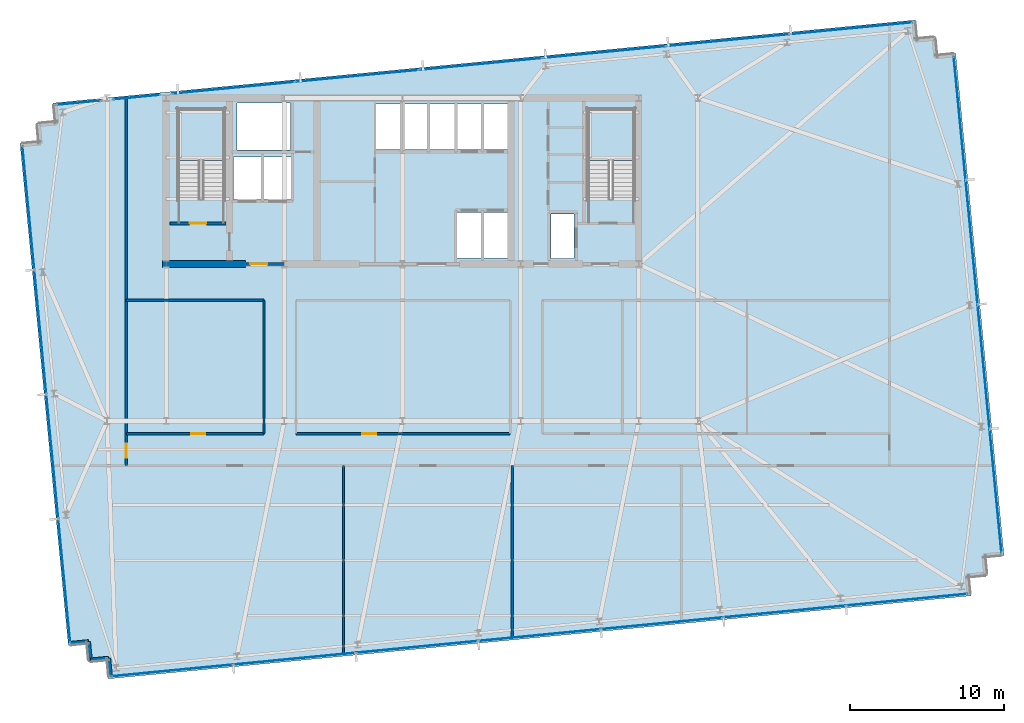
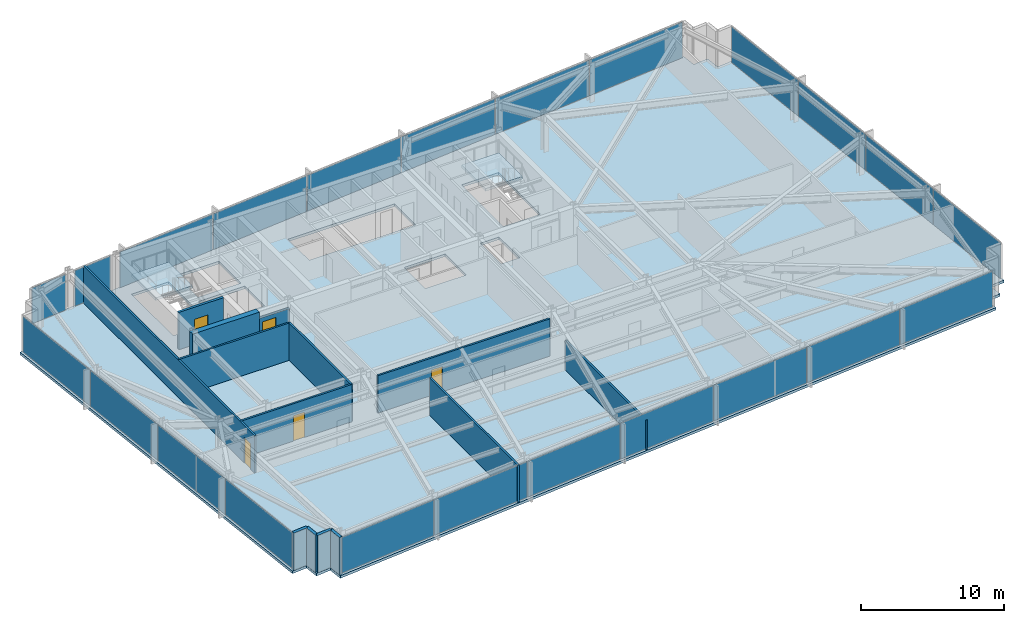
# One storey, part 24 of 32: 23 plates, 14 walls, 5 doors, 3 slabs, 5 openings, 8 elements without a shape of their own.
"""IFC4 building model written with IfcOpenShell, lengths in metres."""

import ifcopenshell
import ifcopenshell.guid

model = None  # the IFC model being written
_history = None  # IfcOwnerHistory: only IFC2X3 demands one
_inside = {}  # id of a spatial element -> (the spatial element, [elements in it])
_under = {}  # id of a project, library or spatial element -> (it, [spatial elements below it])
_declared = {}  # id of a project -> (the project, [libraries it declares])
_typed = {}  # id of a type object -> (the type object, [elements of that type])
_made_of = {}  # id of a material, layer set ... -> (it, [elements and type objects made of it])


def new_model(schema):
    """Start an empty IFC model of exactly this schema.

    Asked for "IFC4X3", IfcOpenShell would pick the latest addendum, in which some entities
    have other attributes; the version numbers below select the first issue.
    IFC2X3 requires an IfcOwnerHistory on every rooted entity: one is made here for all.
    """
    global model, _history
    if schema == "IFC4X3":
        model = ifcopenshell.file(schema_version=(4, 3, 0, 0))
    else:
        model = ifcopenshell.file(schema=schema)
    _inside.clear()
    _under.clear()
    _declared.clear()
    _typed.clear()
    _made_of.clear()
    _history = None
    if model.schema == "IFC2X3":
        org = make("IfcOrganization", Name="unknown")
        user = make(
            "IfcPersonAndOrganization",
            ThePerson=make("IfcPerson", FamilyName="unknown"),
            TheOrganization=org,
        )
        app = make(
            "IfcApplication",
            ApplicationDeveloper=org,
            Version="unknown",
            ApplicationFullName="unknown",
            ApplicationIdentifier="unknown",
        )
        _history = make(
            "IfcOwnerHistory",
            OwningUser=user,
            OwningApplication=app,
            ChangeAction="ADDED",
            CreationDate=0,
        )
    return model


def make(cls, **values):
    """One entity of the class cls with the attributes given. An attribute that is None is left unset."""
    return model.create_entity(
        cls, **{name: value for name, value in values.items() if value is not None}
    )


def rooted(cls, **values):
    """An entity with a GlobalId (a new one), such as an element, a storey or a relation."""
    return make(cls, GlobalId=ifcopenshell.guid.new(), OwnerHistory=_history, **values)


def si_unit(unit_type, name, prefix=None):
    """IfcSIUnit, for example si_unit("LENGTHUNIT", "METRE", prefix="MILLI")."""
    return make("IfcSIUnit", UnitType=unit_type, Prefix=prefix, Name=name)


def assignment(units):
    """IfcUnitAssignment: the units of a project."""
    return None if units is None else make("IfcUnitAssignment", Units=units)


def point(xyz):
    """IfcCartesianPoint."""
    return None if xyz is None else make("IfcCartesianPoint", Coordinates=xyz)


def direction(xyz):
    """IfcDirection."""
    return None if xyz is None else make("IfcDirection", DirectionRatios=xyz)


def frame(location, z_axis=None, x_axis=None):
    """IfcAxis2Placement3D, a coordinate frame: its origin and axes. An axis left out is left unset."""
    return make(
        "IfcAxis2Placement3D",
        Location=point(location),
        Axis=direction(z_axis),
        RefDirection=direction(x_axis),
    )


def frame_2d(location, x_axis=None):
    """IfcAxis2Placement2D, a coordinate frame in the plane: its origin and x axis."""
    return make(
        "IfcAxis2Placement2D", Location=point(location), RefDirection=direction(x_axis)
    )


def origin():
    """The frame at (0, 0, 0) with its axes left unset."""
    return frame((0.0, 0.0, 0.0))


def origin_2d():
    """The frame at (0, 0) in the plane with its x axis left unset."""
    return frame_2d((0.0, 0.0))


def place(relative_to, where):
    """IfcLocalPlacement: puts the frame where relative to a parent placement (None: the world)."""
    return make(
        "IfcLocalPlacement", PlacementRelTo=relative_to, RelativePlacement=where
    )


def context(
    kind, dimensions, precision=None, world=None, true_north=None, identifier=None
):
    """IfcGeometricRepresentationContext, for example the 3D "Model" context."""
    return make(
        "IfcGeometricRepresentationContext",
        ContextIdentifier=identifier,
        ContextType=kind,
        CoordinateSpaceDimension=dimensions,
        Precision=precision,
        WorldCoordinateSystem=world,
        TrueNorth=true_north,
    )


def subcontext(parent, identifier, kind, view, scale=None):
    """IfcGeometricRepresentationSubContext, for example "Body" below "Model"."""
    return make(
        "IfcGeometricRepresentationSubContext",
        ContextIdentifier=identifier,
        ContextType=kind,
        ParentContext=parent,
        TargetScale=scale,
        TargetView=view,
    )


def project(units=None, contexts=None):
    """IfcProject with its units and contexts."""
    return rooted(
        "IfcProject",
        Name="project",
        RepresentationContexts=contexts,
        UnitsInContext=assignment(units),
    )


def spatial(cls, under=None, at=None, **own):
    """A site, building, storey or space (cls), placed at a placement, below another one or the project."""
    s = rooted(cls, ObjectPlacement=at, **own)
    if under is not None:
        _under.setdefault(under.id(), (under, []))[1].append(s)
    return s


def polyline(points):
    """IfcPolyline through the points."""
    return make("IfcPolyline", Points=[point(p) for p in points])


def profile(cls, at=None, kind="AREA", **sizes):
    """A parametric profile (cls). Its sizes go by their IFC names, for example OverallWidth=200.0."""
    return make(cls, ProfileType=kind, Position=at, **sizes)


def rectangle(**sizes):
    """IfcRectangleProfileDef."""
    return profile("IfcRectangleProfileDef", **sizes)


def outline(outer, holes=None, kind="AREA"):
    """IfcArbitraryClosedProfileDef: a profile drawn as a closed curve; with holes, ...WithVoids."""
    if holes is None:
        return make("IfcArbitraryClosedProfileDef", ProfileType=kind, OuterCurve=outer)
    return make(
        "IfcArbitraryProfileDefWithVoids",
        ProfileType=kind,
        OuterCurve=outer,
        InnerCurves=holes,
    )


def extrude(swept, where, along, depth):
    """IfcExtrudedAreaSolid: the profile swept, set in the frame where, extruded along a direction by depth."""
    return make(
        "IfcExtrudedAreaSolid",
        SweptArea=swept,
        Position=where,
        ExtrudedDirection=direction(along),
        Depth=depth,
    )


def shape(context_of_items, identifier, shape_type, items):
    """IfcShapeRepresentation: the items that make up one representation, for example the "Body"."""
    return make(
        "IfcShapeRepresentation",
        ContextOfItems=context_of_items,
        RepresentationIdentifier=identifier,
        RepresentationType=shape_type,
        Items=items,
    )


def material(Name=None, Category=None):
    """IfcMaterial."""
    return make("IfcMaterial", Name=Name, Category=Category)


def layer(
    of_material, thickness, ventilated=None, Name=None, Category=None, Priority=None
):
    """IfcMaterialLayer: one layer of a wall or slab, of a material (None: an air gap)."""
    return make(
        "IfcMaterialLayer",
        Material=of_material,
        LayerThickness=thickness,
        IsVentilated=ventilated,
        Name=Name,
        Category=Category,
        Priority=Priority,
    )


def layer_set(layers, Name=None):
    """IfcMaterialLayerSet."""
    return make("IfcMaterialLayerSet", MaterialLayers=layers, LayerSetName=Name)


def made_of(thing, what):
    """Note that an element or type object is made of a material, layer set ...; save() writes the relation."""
    if what is not None:
        _made_of.setdefault(what.id(), (what, []))[1].append(thing)
    return thing


def type_object(cls, material=None, **own):
    """A type object (cls), such as IfcWallType, which elements share."""
    return made_of(rooted(cls, **own), material)


def element(
    cls,
    number,
    at=None,
    inside=None,
    cuts=None,
    type_object=None,
    material=None,
    context=None,
    identifier="Body",
    shape_type=None,
    held_by="IfcProductDefinitionShape",
    body=None,
    shapes=None,
    **own,
):
    """One element of the class cls, such as IfcWall. Its Tag is "e" and its number.

    at: its placement. inside: the storey or other place that contains it. cuts: it is an
    opening in that element (IfcRelVoidsElement). A single representation is given by context,
    identifier, shape_type and body (its items); several are given by shapes. held_by: the class
    of the entity that holds the representations. save() writes the other relations.
    """
    e = rooted(cls, Tag="e%d" % number, ObjectPlacement=at, **own)
    if body is not None:
        shapes = [shape(context, identifier, shape_type, body)]
    if shapes is not None:
        e.Representation = make(held_by, Representations=shapes)
    if inside is not None:
        _inside.setdefault(inside.id(), (inside, []))[1].append(e)
    if cuts is not None:
        rooted(
            "IfcRelVoidsElement", RelatingBuildingElement=cuts, RelatedOpeningElement=e
        )
    if type_object is not None:
        _typed.setdefault(type_object.id(), (type_object, []))[1].append(e)
    return made_of(e, material)


def fill(opening, filler):
    """IfcRelFillsElement: the door or window that sits in an opening."""
    return rooted(
        "IfcRelFillsElement",
        RelatingOpeningElement=opening,
        RelatedBuildingElement=filler,
    )


def aggregate(whole, parts):
    """IfcRelAggregates: a whole, such as a stair, and the parts it consists of."""
    return rooted("IfcRelAggregates", RelatingObject=whole, RelatedObjects=parts)


def save(model, path):
    """Write the relations noted so far, then the file.

    IfcRelAggregates (storeys below a building ...), IfcRelContainedInSpatialStructure (elements
    in a storey), IfcRelDefinesByType, IfcRelAssociatesMaterial and IfcRelDeclares: one each for
    every whole, place, type object, material and project.
    """
    for whole, parts in _under.values():
        aggregate(whole, parts)
    for where, things in _inside.values():
        rooted(
            "IfcRelContainedInSpatialStructure",
            RelatedElements=things,
            RelatingStructure=where,
        )
    for kind, things in _typed.values():
        rooted("IfcRelDefinesByType", RelatedObjects=things, RelatingType=kind)
    for what, things in _made_of.values():
        rooted("IfcRelAssociatesMaterial", RelatedObjects=things, RelatingMaterial=what)
    for by, libraries in _declared.values():
        rooted("IfcRelDeclares", RelatingContext=by, RelatedDefinitions=libraries)
    model.write(path)


model = new_model("IFC4")

# Units and contexts
model_context = context("Model", 3, precision=1e-05, world=origin(), true_north=direction((0.0, 1.0)))
body_context = subcontext(model_context, "Body", "Model", "MODEL_VIEW")
ifc_project = project(units=[si_unit("LENGTHUNIT", "METRE"), si_unit("AREAUNIT", "SQUARE_METRE"), si_unit("VOLUMEUNIT", "CUBIC_METRE"), si_unit("PLANEANGLEUNIT", "RADIAN"), si_unit("MASSUNIT", "GRAM", prefix="KILO")], contexts=[model_context])

# Site, building, storey
site_placement = place(None, origin())
site = spatial("IfcSite", under=ifc_project, at=site_placement, CompositionType="ELEMENT")
building_placement = place(site_placement, origin())
building = spatial("IfcBuilding", under=site, at=building_placement, Name="Yelkora Congress Tower", CompositionType="ELEMENT")
storey_placement = place(building_placement, frame((0.0, 0.0, 99.89990234375)))
storey = spatial("IfcBuildingStorey", under=building, at=storey_placement, Name="L26", CompositionType="ELEMENT", Elevation=99.89990234375)

# Curtain wall, plates
ifc_material_1 = material(Name="Anodised aluminium and insulated glass", Category="aluminium")
curtain_wall_type = type_object("IfcCurtainWallType", Name="CW-SYS-B2", PredefinedType="NOTDEFINED", material=ifc_material_1)
curtain_wall_1_placement = place(storey_placement, origin())
curtain_wall_1 = element("IfcCurtainWall", 1, at=curtain_wall_1_placement, inside=storey, type_object=curtain_wall_type, Name="L26 Unitised Curtain Wall 5", PredefinedType="NOTDEFINED")
ifc_material_2 = material(Name="Solar-control low-E glass unit B2", Category="glass")
ifc_layer_1 = layer(ifc_material_2, 0.0380859375)
ifc_layer_set_1 = layer_set([ifc_layer_1], Name="Solar-control low-E glass unit B2")
plate_type = type_object("IfcPlateType", Name="PLT-PN-B2", PredefinedType="CURTAIN_PANEL", material=ifc_layer_set_1)
plate_1_placement = place(storey_placement, frame((16.41650390625, 14.820068359375, 0.06494140625), z_axis=(0.0, 0.0, 1.0), x_axis=(-0.095842541913, 0.995396507508, 0.0)))
plate_1 = element("IfcPlate", 2, at=plate_1_placement, type_object=plate_type, Name="CW-B2 panel 1.1", PredefinedType="CURTAIN_PANEL", context=body_context, shape_type="SweptSolid", body=[
    extrude(rectangle(XDim=8.02490234375, YDim=0.0380859375, at=origin_2d()), origin(), (0.0, 0.0, 1.0), 3.050048828125),
])
plate_2_placement = place(storey_placement, frame((15.638916015625, 22.895263671875, 0.06494140625), z_axis=(0.0, 0.0, 1.0), x_axis=(-0.095842541913, 0.995396507508, 0.0)))
plate_2 = element("IfcPlate", 3, at=plate_2_placement, type_object=plate_type, Name="CW-B2 panel 2.1", PredefinedType="CURTAIN_PANEL", context=body_context, shape_type="SweptSolid", body=[
    extrude(rectangle(XDim=8.06005859375, YDim=0.0380859375, at=origin_2d()), origin(), (0.0, 0.0, 1.0), 3.050048828125),
])
plate_3_placement = place(storey_placement, frame((14.859619140625, 30.98779296875, 0.06494140625), z_axis=(0.0, 0.0, 1.0), x_axis=(-0.095842541913, 0.995396507508, 0.0)))
plate_3 = element("IfcPlate", 4, at=plate_3_placement, type_object=plate_type, Name="CW-B2 panel 3.1", PredefinedType="CURTAIN_PANEL", context=body_context, shape_type="SweptSolid", body=[
    extrude(rectangle(XDim=8.06005859375, YDim=0.0380859375, at=origin_2d()), origin(), (0.0, 0.0, 1.0), 3.050048828125),
])
plate_4_placement = place(storey_placement, frame((14.082275390625, 39.06298828125, 0.06494140625), z_axis=(0.0, 0.0, 1.0), x_axis=(-0.095842541913, 0.995396507508, 0.0)))
plate_4 = element("IfcPlate", 5, at=plate_4_placement, type_object=plate_type, Name="CW-B2 panel 4.1", PredefinedType="CURTAIN_PANEL", context=body_context, shape_type="SweptSolid", body=[
    extrude(rectangle(XDim=8.02490234375, YDim=0.0380859375, at=origin_2d()), origin(), (0.0, 0.0, 1.0), 3.050048828125),
])
aggregate(curtain_wall_1, [plate_1, plate_2, plate_3, plate_4])

# Curtain wall, plate
curtain_wall_2_placement = place(storey_placement, origin())
curtain_wall_2 = element("IfcCurtainWall", 6, at=curtain_wall_2_placement, inside=storey, type_object=curtain_wall_type, Name="L26 Unitised Curtain Wall 10 (1)", PredefinedType="NOTDEFINED")
plate_5_placement = place(storey_placement, frame((17.35888671875, 45.89111328125, 0.06494140625), z_axis=(0.0, 0.0, 1.0), x_axis=(0.99539681521, 0.095839346142, 0.0)))
plate_5 = element("IfcPlate", 7, at=plate_5_placement, type_object=plate_type, Name="CW-B2 panel 1.1", PredefinedType="CURTAIN_PANEL", context=body_context, shape_type="SweptSolid", body=[
    extrude(rectangle(XDim=2.89208984375, YDim=0.0380859375, at=origin_2d()), origin(), (0.0, 0.0, 1.0), 3.050048828125),
])
aggregate(curtain_wall_2, [plate_5])

curtain_wall_3_placement = place(storey_placement, origin())
curtain_wall_3 = element("IfcCurtainWall", 8, at=curtain_wall_3_placement, inside=storey, type_object=curtain_wall_type, Name="L26 Unitised Curtain Wall 10 (2)", PredefinedType="NOTDEFINED")
plate_6_placement = place(storey_placement, frame((21.1201171875, 46.253173828125, 0.06494140625), z_axis=(0.0, 0.0, 1.0), x_axis=(0.99539661748, 0.095841399764, 0.0)))
plate_6 = element("IfcPlate", 9, at=plate_6_placement, type_object=plate_type, Name="CW-B2 panel 1.1", PredefinedType="CURTAIN_PANEL", context=body_context, shape_type="SweptSolid", body=[
    extrude(rectangle(XDim=3.05078125, YDim=0.0380859375, at=origin_2d()), origin(), (0.0, 0.0, 1.0), 3.050048828125),
])
aggregate(curtain_wall_3, [plate_6])

# Curtain wall, plates
curtain_wall_4_placement = place(storey_placement, origin())
curtain_wall_4 = element("IfcCurtainWall", 10, at=curtain_wall_4_placement, inside=storey, type_object=curtain_wall_type, Name="L26 Unitised Curtain Wall 10 (3)", PredefinedType="NOTDEFINED")
plate_7_placement = place(storey_placement, frame((27.409423828125, 46.858642578125, 0.06494140625), z_axis=(0.0, 0.0, 1.0), x_axis=(0.995396344153, 0.095844238468, 0.0)))
plate_7 = element("IfcPlate", 11, at=plate_7_placement, type_object=plate_type, Name="CW-B2 panel 1.1", PredefinedType="CURTAIN_PANEL", context=body_context, shape_type="SweptSolid", body=[
    extrude(rectangle(XDim=7.97216796875, YDim=0.0380859375, at=origin_2d()), origin(), (0.0, 0.0, 1.0), 3.050048828125),
])
plate_8_placement = place(storey_placement, frame((35.431884765625, 47.631103515625, 0.06494140625), z_axis=(0.0, 0.0, 1.0), x_axis=(0.995396344153, 0.095844238468, 0.0)))
plate_8 = element("IfcPlate", 12, at=plate_8_placement, type_object=plate_type, Name="CW-B2 panel 2.1", PredefinedType="CURTAIN_PANEL", context=body_context, shape_type="SweptSolid", body=[
    extrude(rectangle(XDim=8.007080078125, YDim=0.0380859375, at=origin_2d()), origin(), (0.0, 0.0, 1.0), 3.050048828125),
])
plate_9_placement = place(storey_placement, frame((43.471923828125, 48.4052734375, 0.06494140625), z_axis=(0.0, 0.0, 1.0), x_axis=(0.995396344153, 0.095844238468, 0.0)))
plate_9 = element("IfcPlate", 13, at=plate_9_placement, type_object=plate_type, Name="CW-B2 panel 3.1", PredefinedType="CURTAIN_PANEL", context=body_context, shape_type="SweptSolid", body=[
    extrude(rectangle(XDim=8.007080078125, YDim=0.0380859375, at=origin_2d()), origin(), (0.0, 0.0, 1.0), 3.050048828125),
])
plate_10_placement = place(storey_placement, frame((51.511962890625, 49.179443359375, 0.06494140625), z_axis=(0.0, 0.0, 1.0), x_axis=(0.995396344153, 0.095844238468, 0.0)))
plate_10 = element("IfcPlate", 14, at=plate_10_placement, type_object=plate_type, Name="CW-B2 panel 4.1", PredefinedType="CURTAIN_PANEL", context=body_context, shape_type="SweptSolid", body=[
    extrude(rectangle(XDim=8.007080078125, YDim=0.0380859375, at=origin_2d()), origin(), (0.0, 0.0, 1.0), 3.050048828125),
])
plate_11_placement = place(storey_placement, frame((59.552001953125, 49.95361328125, 0.06494140625), z_axis=(0.0, 0.0, 1.0), x_axis=(0.995396344153, 0.095844238468, 0.0)))
plate_11 = element("IfcPlate", 15, at=plate_11_placement, type_object=plate_type, Name="CW-B2 panel 5.1", PredefinedType="CURTAIN_PANEL", context=body_context, shape_type="SweptSolid", body=[
    extrude(rectangle(XDim=8.007080078125, YDim=0.0380859375, at=origin_2d()), origin(), (0.0, 0.0, 1.0), 3.050048828125),
])
plate_12_placement = place(storey_placement, frame((67.574462890625, 50.72607421875, 0.06494140625), z_axis=(0.0, 0.0, 1.0), x_axis=(0.995396344153, 0.095844238468, 0.0)))
plate_12 = element("IfcPlate", 16, at=plate_12_placement, type_object=plate_type, Name="CW-B2 panel 6.1", PredefinedType="CURTAIN_PANEL", context=body_context, shape_type="SweptSolid", body=[
    extrude(rectangle(XDim=7.97216796875, YDim=0.0380859375, at=origin_2d()), origin(), (0.0, 0.0, 1.0), 3.050048828125),
])
aggregate(curtain_wall_4, [plate_7, plate_8, plate_9, plate_10, plate_11, plate_12])

curtain_wall_5_placement = place(storey_placement, origin())
curtain_wall_5 = element("IfcCurtainWall", 17, at=curtain_wall_5_placement, inside=storey, type_object=curtain_wall_type, Name="L26 Unitised Curtain Wall 15", PredefinedType="NOTDEFINED")
plate_13_placement = place(storey_placement, frame((74.6220703125, 44.892333984375, 0.06494140625), z_axis=(0.0, 0.0, 1.0), x_axis=(0.095842541913, -0.995396507508, 0.0)))
plate_13 = element("IfcPlate", 18, at=plate_13_placement, type_object=plate_type, Name="CW-B2 panel 1.1", PredefinedType="CURTAIN_PANEL", context=body_context, shape_type="SweptSolid", body=[
    extrude(rectangle(XDim=8.02490234375, YDim=0.0380859375, at=origin_2d()), origin(), (0.0, 0.0, 1.0), 3.050048828125),
])
plate_14_placement = place(storey_placement, frame((75.399658203125, 36.817138671875, 0.06494140625), z_axis=(0.0, 0.0, 1.0), x_axis=(0.095842541913, -0.995396507508, 0.0)))
plate_14 = element("IfcPlate", 19, at=plate_14_placement, type_object=plate_type, Name="CW-B2 panel 2.1", PredefinedType="CURTAIN_PANEL", context=body_context, shape_type="SweptSolid", body=[
    extrude(rectangle(XDim=8.06005859375, YDim=0.0380859375, at=origin_2d()), origin(), (0.0, 0.0, 1.0), 3.050048828125),
])
plate_15_placement = place(storey_placement, frame((76.178955078125, 28.724609375, 0.06494140625), z_axis=(0.0, 0.0, 1.0), x_axis=(0.095842541913, -0.995396507508, 0.0)))
plate_15 = element("IfcPlate", 20, at=plate_15_placement, type_object=plate_type, Name="CW-B2 panel 3.1", PredefinedType="CURTAIN_PANEL", context=body_context, shape_type="SweptSolid", body=[
    extrude(rectangle(XDim=8.06005859375, YDim=0.0380859375, at=origin_2d()), origin(), (0.0, 0.0, 1.0), 3.050048828125),
])
plate_16_placement = place(storey_placement, frame((76.95654296875, 20.6494140625, 0.06494140625), z_axis=(0.0, 0.0, 1.0), x_axis=(0.095842541913, -0.995396507508, 0.0)))
plate_16 = element("IfcPlate", 21, at=plate_16_placement, type_object=plate_type, Name="CW-B2 panel 4.1", PredefinedType="CURTAIN_PANEL", context=body_context, shape_type="SweptSolid", body=[
    extrude(rectangle(XDim=8.02490234375, YDim=0.0380859375, at=origin_2d()), origin(), (0.0, 0.0, 1.0), 3.050048828125),
])
aggregate(curtain_wall_5, [plate_13, plate_14, plate_15, plate_16])

curtain_wall_6_placement = place(storey_placement, origin())
curtain_wall_6 = element("IfcCurtainWall", 22, at=curtain_wall_6_placement, inside=storey, type_object=curtain_wall_type, Name="L26 Unitised Curtain Wall 20", PredefinedType="NOTDEFINED")
plate_17_placement = place(storey_placement, frame((71.1884765625, 13.58154296875, 0.06494140625), z_axis=(0.0, 0.0, 1.0), x_axis=(-0.995396333816, -0.095844345816, 0.0)))
plate_17 = element("IfcPlate", 23, at=plate_17_placement, type_object=plate_type, Name="CW-B2 panel 1.1", PredefinedType="CURTAIN_PANEL", context=body_context, shape_type="SweptSolid", body=[
    extrude(rectangle(XDim=7.89794921875, YDim=0.0380859375, at=origin_2d()), origin(), (0.0, 0.0, 1.0), 3.050048828125),
])
plate_18_placement = place(storey_placement, frame((63.23974609375, 12.816162109375, 0.06494140625), z_axis=(0.0, 0.0, 1.0), x_axis=(-0.995396333816, -0.095844345816, 0.0)))
plate_18 = element("IfcPlate", 24, at=plate_18_placement, type_object=plate_type, Name="CW-B2 panel 2.1", PredefinedType="CURTAIN_PANEL", context=body_context, shape_type="SweptSolid", body=[
    extrude(rectangle(XDim=7.932861328125, YDim=0.0380859375, at=origin_2d()), origin(), (0.0, 0.0, 1.0), 3.050048828125),
])
plate_19_placement = place(storey_placement, frame((55.273681640625, 12.049072265625, 0.06494140625), z_axis=(0.0, 0.0, 1.0), x_axis=(-0.995396333816, -0.095844345816, 0.0)))
plate_19 = element("IfcPlate", 25, at=plate_19_placement, type_object=plate_type, Name="CW-B2 panel 3.1", PredefinedType="CURTAIN_PANEL", context=body_context, shape_type="SweptSolid", body=[
    extrude(rectangle(XDim=7.932861328125, YDim=0.0380859375, at=origin_2d()), origin(), (0.0, 0.0, 1.0), 3.050048828125),
])
plate_20_placement = place(storey_placement, frame((47.307861328125, 11.281982421875, 0.06494140625), z_axis=(0.0, 0.0, 1.0), x_axis=(-0.995396333816, -0.095844345816, 0.0)))
plate_20 = element("IfcPlate", 26, at=plate_20_placement, type_object=plate_type, Name="CW-B2 panel 4.1", PredefinedType="CURTAIN_PANEL", context=body_context, shape_type="SweptSolid", body=[
    extrude(rectangle(XDim=7.932861328125, YDim=0.0380859375, at=origin_2d()), origin(), (0.0, 0.0, 1.0), 3.050048828125),
])
plate_21_placement = place(storey_placement, frame((39.341796875, 10.51513671875, 0.06494140625), z_axis=(0.0, 0.0, 1.0), x_axis=(-0.995396333816, -0.095844345816, 0.0)))
plate_21 = element("IfcPlate", 27, at=plate_21_placement, type_object=plate_type, Name="CW-B2 panel 5.1", PredefinedType="CURTAIN_PANEL", context=body_context, shape_type="SweptSolid", body=[
    extrude(rectangle(XDim=7.932861328125, YDim=0.0380859375, at=origin_2d()), origin(), (0.0, 0.0, 1.0), 3.050048828125),
])
plate_22_placement = place(storey_placement, frame((31.375732421875, 9.748046875, 0.06494140625), z_axis=(0.0, 0.0, 1.0), x_axis=(-0.995396333816, -0.095844345816, 0.0)))
plate_22 = element("IfcPlate", 28, at=plate_22_placement, type_object=plate_type, Name="CW-B2 panel 6.1", PredefinedType="CURTAIN_PANEL", context=body_context, shape_type="SweptSolid", body=[
    extrude(rectangle(XDim=7.932861328125, YDim=0.0380859375, at=origin_2d()), origin(), (0.0, 0.0, 1.0), 3.050048828125),
])
plate_23_placement = place(storey_placement, frame((23.42724609375, 8.982666015625, 0.06494140625), z_axis=(0.0, 0.0, 1.0), x_axis=(-0.995396333816, -0.095844345816, 0.0)))
plate_23 = element("IfcPlate", 29, at=plate_23_placement, type_object=plate_type, Name="CW-B2 panel 7.1", PredefinedType="CURTAIN_PANEL", context=body_context, shape_type="SweptSolid", body=[
    extrude(rectangle(XDim=7.89794921875, YDim=0.0380859375, at=origin_2d()), origin(), (0.0, 0.0, 1.0), 3.050048828125),
])
aggregate(curtain_wall_6, [plate_17, plate_18, plate_19, plate_20, plate_21, plate_22, plate_23])

# Stair, slab
ifc_material_3 = material(Name="Concrete C40/50", Category="concrete")
stair_type = type_object("IfcStairType", Name="STAIR-HT-1420-R20-170", PredefinedType="HALF_TURN_STAIR", material=ifc_material_3)
stair_1_placement = place(storey_placement, origin())
stair_1 = element("IfcStair", 30, at=stair_1_placement, inside=storey, type_object=stair_type, Name="West Core Protected Exit Stair ST-01 (L26)", PredefinedType="HALF_TURN_STAIR")
ifc_layer_2 = layer(ifc_material_3, 0.219970703125)
ifc_layer_set_2 = layer_set([ifc_layer_2], Name="Concrete C40/50")
slab_type_1 = type_object("IfcSlabType", Name="SLAB-LANDING-220", PredefinedType="LANDING", material=ifc_layer_set_2)
slab_1_placement = place(storey_placement, frame((0.0, 0.0, 1.47998046875)))
slab_1 = element("IfcSlab", 31, at=slab_1_placement, type_object=slab_type_1, Name="ST-01 L26 Half Landing 1", PredefinedType="LANDING", context=body_context, shape_type="SweptSolid", body=[
    extrude(outline(polyline([(26.820068359375, 42.1201171875), (26.820068359375, 45.469970703125), (23.820068359375, 45.469970703125), (23.820068359375, 42.1201171875), (26.820068359375, 42.1201171875)])), origin(), (0.0, 0.0, 1.0), 0.22021484375),
])
aggregate(stair_1, [slab_1])

stair_2_placement = place(storey_placement, origin())
stair_2 = element("IfcStair", 32, at=stair_2_placement, inside=storey, type_object=stair_type, Name="East Core Protected Exit Stair ST-02 (L26)", PredefinedType="HALF_TURN_STAIR")
slab_2_placement = place(storey_placement, frame((0.0, 0.0, 1.47998046875)))
slab_2 = element("IfcSlab", 33, at=slab_2_placement, type_object=slab_type_1, Name="ST-02 L26 Half Landing 1", PredefinedType="LANDING", context=body_context, shape_type="SweptSolid", body=[
    extrude(outline(polyline([(53.4599609375, 42.1201171875), (53.4599609375, 45.469970703125), (50.4599609375, 45.469970703125), (50.4599609375, 42.1201171875), (53.4599609375, 42.1201171875)])), origin(), (0.0, 0.0, 1.0), 0.22021484375),
])
aggregate(stair_2, [slab_2])

# Slab
ifc_layer_3 = layer(ifc_material_3, 0.219970703125)
ifc_layer_set_3 = layer_set([ifc_layer_3], Name="Concrete C40/50")
slab_type_2 = type_object("IfcSlabType", Name="SLAB-TWR-220", PredefinedType="FLOOR", material=ifc_layer_set_3)
slab_3_placement = place(storey_placement, frame((0.0, 0.0, -0.219970703125)))
element("IfcSlab", 34, at=slab_3_placement, inside=storey, type_object=slab_type_2, Name="L26 Structural Floor Slab", PredefinedType="FLOOR", context=body_context, shape_type="SweptSolid", body=[
    extrude(outline(polyline([(19.30078125, 8.444580078125), (75.341552734375, 13.8408203125), (75.2265625, 15.035400390625), (76.421142578125, 15.150390625), (76.30615234375, 16.3447265625), (77.50048828125, 16.459716796875), (74.356689453125, 49.10888671875), (73.162353515625, 48.99365234375), (73.04736328125, 50.188232421875), (71.852783203125, 50.0732421875), (71.73779296875, 51.267578125), (15.697021484375, 45.87158203125), (15.81201171875, 44.677001953125), (14.61767578125, 44.56201171875), (14.732666015625, 43.36767578125), (13.5380859375, 43.252685546875), (16.681884765625, 10.603515625), (17.876220703125, 10.718505859375), (17.9912109375, 9.524169921875), (19.185791015625, 9.63916015625), (19.30078125, 8.444580078125)]), holes=[polyline([(23.820068359375, 39.6298828125), (26.820068359375, 39.6298828125), (26.820068359375, 45.469970703125), (23.820068359375, 45.469970703125), (23.820068359375, 39.6298828125)]), polyline([(50.4599609375, 39.6298828125), (53.4599609375, 39.6298828125), (53.4599609375, 45.469970703125), (50.4599609375, 45.469970703125), (50.4599609375, 39.6298828125)]), polyline([(48.050048828125, 35.75), (49.550048828125, 35.75), (49.550048828125, 38.64990234375), (48.050048828125, 38.64990234375), (48.050048828125, 35.75)]), polyline([(36.64990234375, 42.85009765625), (45.25, 42.85009765625), (45.25, 45.800048828125), (36.64990234375, 45.800048828125), (36.64990234375, 42.85009765625)]), polyline([(41.949951171875, 35.800048828125), (45.25, 35.800048828125), (45.25, 38.75), (41.949951171875, 38.75), (41.949951171875, 35.800048828125)]), polyline([(27.419921875, 39.60009765625), (31.179931640625, 39.60009765625), (31.179931640625, 42.35009765625), (27.419921875, 42.35009765625), (27.419921875, 39.60009765625)]), polyline([(27.64990234375, 42.820068359375), (31.1201171875, 42.820068359375), (31.1201171875, 45.8798828125), (27.64990234375, 45.8798828125), (27.64990234375, 42.820068359375)])]), origin(), (0.0, 0.0, 1.0), 0.219970703125),
])

# Walls
ifc_material_4 = material(Name="Concrete C60/75", Category="concrete")
ifc_layer_4 = layer(ifc_material_4, 0.449951171875)
ifc_layer_set_4 = layer_set([ifc_layer_4], Name="Concrete C60/75")
wall_type_1 = type_object("IfcWallType", Name="WALL-CORE-INT-450", PredefinedType="SHEAR", material=ifc_layer_set_4)
wall_1_placement = place(storey_placement, frame((22.81494140625, 35.39990234375, 0.0), z_axis=(0.0, 0.0, 1.0), x_axis=(1.0, 0.0, 0.0)))
element("IfcWall", 35, at=wall_1_placement, inside=storey, type_object=wall_type_1, Name="L26 Rear Core South-West Shear Wall", PredefinedType="SHEAR", context=body_context, shape_type="SweptSolid", body=[
    extrude(rectangle(XDim=5.385009765625, YDim=0.449951171875, at=frame_2d((2.6923828125, 0.0))), origin(), (0.0, 0.0, 1.0), 3.18017578125),
])
ifc_layer_5 = layer(ifc_material_3, 0.239990234375)
ifc_layer_set_5 = layer_set([ifc_layer_5], Name="Concrete C40/50")
wall_type_2 = type_object("IfcWallType", Name="WALL-EXT-LIMESTONE-240", PredefinedType="SOLIDWALL", material=ifc_layer_set_5)
for number, where, z_axis, x_axis, name in (
    (36, (19.4267578125, 8.597412109375, 0.0), (0.0, 0.0, 1.0), (-0.095817067274, 0.995398960025, 0.0), "L26 Serrated Corner Limestone Pier 1"),
    (37, (19.311767578125, 9.7919921875, 0.0), (0.0, 0.0, 1.0), (-0.995398960025, -0.095817067274, 0.0), "L26 Serrated Corner Limestone Pier 2"),
):
    element("IfcWall", number, at=place(storey_placement, frame(where, z_axis=z_axis, x_axis=x_axis)), inside=storey, type_object=wall_type_2, Name=name, PredefinedType="SOLIDWALL", context=body_context, shape_type="SweptSolid", body=[
        extrude(rectangle(XDim=1.2001953125, YDim=0.239990234375, at=frame_2d((0.60009765625, 0.0))), origin(), (0.0, 0.0, 1.0), 3.18017578125),
    ])
wall_2_placement = place(storey_placement, frame((18.1171875, 9.677001953125, 0.0), z_axis=(0.0, 0.0, 1.0), x_axis=(-0.095836473879, 0.995397091755, 0.0)))
element("IfcWall", 38, at=wall_2_placement, inside=storey, type_object=wall_type_2, Name="L26 Serrated Corner Limestone Pier 3", PredefinedType="SOLIDWALL", context=body_context, shape_type="SweptSolid", body=[
    extrude(rectangle(XDim=1.199951171875, YDim=0.239990234375, at=frame_2d((0.60009765625, 0.0))), origin(), (0.0, 0.0, 1.0), 3.18017578125),
])
wall_3_placement = place(storey_placement, frame((18.002197265625, 10.871337890625, 0.0), z_axis=(0.0, 0.0, 1.0), x_axis=(-0.995398960025, -0.095817067274, 0.0)))
element("IfcWall", 39, at=wall_3_placement, inside=storey, type_object=wall_type_2, Name="L26 Serrated Corner Limestone Pier 4", PredefinedType="SOLIDWALL", context=body_context, shape_type="SweptSolid", body=[
    extrude(rectangle(XDim=1.2001953125, YDim=0.239990234375, at=frame_2d((0.60009765625, 0.0))), origin(), (0.0, 0.0, 1.0), 3.18017578125),
])
ifc_material_5 = material(Name="Acoustic metal-stud gypsum partition", Category="gypsum")
ifc_layer_6 = layer(ifc_material_5, 0.14990234375)
ifc_layer_set_6 = layer_set([ifc_layer_6], Name="Acoustic metal-stud gypsum partition")
wall_type_3 = type_object("IfcWallType", Name="WALL-INT-150-NR", PredefinedType="PARTITIONING", material=ifc_layer_set_6)
wall_4_placement = place(storey_placement, frame((34.56591796875, 9.994873046875, 0.0), z_axis=(0.0, 0.0, 1.0), x_axis=(0.0, 1.0, 0.0)))
element("IfcWall", 40, at=wall_4_placement, inside=storey, type_object=wall_type_3, Name="L26 Partition Wall 28", PredefinedType="PARTITIONING", context=body_context, shape_type="SweptSolid", body=[
    extrude(rectangle(XDim=12.3251953125, YDim=0.14990234375, at=frame_2d((6.16259765625, 0.0))), origin(), (0.0, 0.0, 1.0), 3.18017578125),
])
wall_5_placement = place(storey_placement, frame((45.5390625, 11.051513671875, 0.0), z_axis=(0.0, 0.0, 1.0), x_axis=(0.0, 1.0, 0.0)))
element("IfcWall", 41, at=wall_5_placement, inside=storey, type_object=wall_type_3, Name="L26 Partition Wall 29", PredefinedType="PARTITIONING", context=body_context, shape_type="SweptSolid", body=[
    extrude(rectangle(XDim=11.2685546875, YDim=0.14990234375, at=frame_2d((5.63427734375, 0.0))), origin(), (0.0, 0.0, 1.0), 2.525146484375),
])

# Wall, opening, door
wall_6_placement = place(storey_placement, frame((20.43603515625, 22.300048828125, 0.0), z_axis=(0.0, 0.0, 1.0), x_axis=(0.0, 1.0, 0.0)))
wall_6 = element("IfcWall", 42, at=wall_6_placement, inside=storey, type_object=wall_type_3, Name="L26 Partition Wall 32", PredefinedType="PARTITIONING", context=body_context, shape_type="SweptSolid", body=[
    extrude(rectangle(XDim=23.947509765625, YDim=0.14990234375, at=frame_2d((11.9736328125, 0.0))), origin(), (0.0, 0.0, 1.0), 3.18017578125),
])
opening_1_placement = place(wall_6_placement, frame((0.528076171875, 0.0, 0.0)))
opening_1 = element("IfcOpeningElement", 43, at=opening_1_placement, cuts=wall_6, Name="Opening DR-090N", PredefinedType="OPENING", context=body_context, shape_type="SweptSolid", body=[
    extrude(rectangle(XDim=0.89990234375, YDim=2.14990234375, at=frame_2d((0.449951171875, 1.074951171875))), frame((0.0, 0.0849609375, 0.0), z_axis=(0.0, -1.0, 0.0), x_axis=(1.0, 0.0, 0.0)), (0.0, 0.0, 1.0), 0.169921875),
])
ifc_material_6 = material(Name="Moisture-resistant laminate door leaf", Category="wood")
door_type_1 = type_object("IfcDoorType", Name="DOOR-INT-900", OperationType="NOTDEFINED", PredefinedType="DOOR", material=ifc_material_6)
door_1_placement = place(opening_1_placement, origin())
door_1 = element("IfcDoor", 44, at=door_1_placement, inside=storey, type_object=door_type_1, Name="L26 W Wing Door", OperationType="SINGLE_SWING_RIGHT", OverallHeight=2.14990234375, OverallWidth=0.89990234375, PredefinedType="DOOR", context=body_context, shape_type="SweptSolid", body=[
    extrude(rectangle(XDim=0.89990234375, YDim=2.14990234375, at=frame_2d((0.449951171875, 1.074951171875))), frame((0.0, 0.02490234375, 0.0), z_axis=(0.0, -1.0, 0.0), x_axis=(1.0, 0.0, 0.0)), (0.0, 0.0, 1.0), 0.050048828125),
])
fill(opening_1, door_1)

# Walls
wall_7_placement = place(storey_placement, frame((29.39990234375, 24.3798828125, 0.0), z_axis=(0.0, 0.0, 1.0), x_axis=(0.0, 1.0, 0.0)))
element("IfcWall", 45, at=wall_7_placement, inside=storey, type_object=wall_type_3, Name="L26 Partition Wall 34", PredefinedType="PARTITIONING", context=body_context, shape_type="SweptSolid", body=[
    extrude(rectangle(XDim=8.670166015625, YDim=0.14990234375, at=frame_2d((4.3349609375, 0.0))), origin(), (0.0, 0.0, 1.0), 3.18017578125),
])
wall_8_placement = place(storey_placement, frame((20.43603515625, 33.050048828125, 0.0), z_axis=(0.0, 0.0, 1.0), x_axis=(1.0, 0.0, 0.0)))
element("IfcWall", 46, at=wall_8_placement, inside=storey, type_object=wall_type_3, Name="L26 Partition Wall 38", PredefinedType="PARTITIONING", context=body_context, shape_type="SweptSolid", body=[
    extrude(rectangle(XDim=8.9638671875, YDim=0.14990234375, at=frame_2d((4.48193359375, 0.0))), origin(), (0.0, 0.0, 1.0), 3.18017578125),
])

# Wall, opening, door
wall_9_placement = place(storey_placement, frame((20.4560546875, 24.3798828125, 0.0), z_axis=(0.0, 0.0, 1.0), x_axis=(1.0, 0.0, 0.0)))
wall_9 = element("IfcWall", 47, at=wall_9_placement, inside=storey, type_object=wall_type_3, Name="L26 Partition Wall 41", PredefinedType="PARTITIONING", context=body_context, shape_type="SweptSolid", body=[
    extrude(rectangle(XDim=8.933837890625, YDim=0.14990234375, at=frame_2d((4.466796875, 0.0))), origin(), (0.0, 0.0, 1.0), 3.18017578125),
])
opening_2_placement = place(wall_9_placement, frame((4.227294921875, 0.0, 0.0)))
opening_2 = element("IfcOpeningElement", 48, at=opening_2_placement, cuts=wall_9, Name="Opening DR-090N", PredefinedType="OPENING", context=body_context, shape_type="SweptSolid", body=[
    extrude(rectangle(XDim=0.89990234375, YDim=2.14990234375, at=frame_2d((0.449951171875, 1.074951171875))), frame((0.0, 0.0849609375, 0.0), z_axis=(0.0, -1.0, 0.0), x_axis=(1.0, 0.0, 0.0)), (0.0, 0.0, 1.0), 0.169921875),
])
door_2_placement = place(opening_2_placement, origin())
door_2 = element("IfcDoor", 49, at=door_2_placement, inside=storey, type_object=door_type_1, Name="L26 Wellness Consult Room Door", OperationType="SINGLE_SWING_RIGHT", OverallHeight=2.14990234375, OverallWidth=0.89990234375, PredefinedType="DOOR", context=body_context, shape_type="SweptSolid", body=[
    extrude(rectangle(XDim=0.89990234375, YDim=2.14990234375, at=frame_2d((0.449951171875, 1.074951171875))), frame((0.0, 0.02490234375, 0.0), z_axis=(0.0, -1.0, 0.0), x_axis=(1.0, 0.0, 0.0)), (0.0, 0.0, 1.0), 0.050048828125),
])
fill(opening_2, door_2)

wall_10_placement = place(storey_placement, frame((31.489990234375, 24.3798828125, 0.0), z_axis=(0.0, 0.0, 1.0), x_axis=(1.0, 0.0, 0.0)))
wall_10 = element("IfcWall", 50, at=wall_10_placement, inside=storey, type_object=wall_type_3, Name="L26 Partition Wall 42", PredefinedType="PARTITIONING", context=body_context, shape_type="SweptSolid", body=[
    extrude(rectangle(XDim=13.89990234375, YDim=0.14990234375, at=frame_2d((6.949951171875, 0.0))), origin(), (0.0, 0.0, 1.0), 3.18017578125),
])
opening_3_placement = place(wall_10_placement, frame((4.306396484375, 0.0, 0.0)))
opening_3 = element("IfcOpeningElement", 51, at=opening_3_placement, cuts=wall_10, Name="Opening DR-090N", PredefinedType="OPENING", context=body_context, shape_type="SweptSolid", body=[
    extrude(rectangle(XDim=0.89990234375, YDim=2.14990234375, at=frame_2d((0.449951171875, 1.074951171875))), frame((0.0, 0.0849609375, 0.0), z_axis=(0.0, -1.0, 0.0), x_axis=(1.0, 0.0, 0.0)), (0.0, 0.0, 1.0), 0.169921875),
])
door_3_placement = place(opening_3_placement, origin())
door_3 = element("IfcDoor", 52, at=door_3_placement, inside=storey, type_object=door_type_1, Name="L26 Diplomatic Day Lounge Door", OperationType="SINGLE_SWING_LEFT", OverallHeight=2.14990234375, OverallWidth=0.89990234375, PredefinedType="DOOR", context=body_context, shape_type="SweptSolid", body=[
    extrude(rectangle(XDim=0.89990234375, YDim=2.14990234375, at=frame_2d((0.449951171875, 1.074951171875))), frame((0.0, 0.02490234375, 0.0), z_axis=(0.0, -1.0, 0.0), x_axis=(1.0, 0.0, 0.0)), (0.0, 0.0, 1.0), 0.050048828125),
])
fill(opening_3, door_3)

ifc_material_7 = material(Name="Autoclaved aerated concrete blockwork", Category="masonry")
ifc_layer_7 = layer(ifc_material_7, 0.199951171875)
ifc_layer_set_7 = layer_set([ifc_layer_7], Name="Autoclaved aerated concrete blockwork")
wall_type_4 = type_object("IfcWallType", Name="WALL-INT-200-R120", PredefinedType="PARTITIONING", material=ifc_layer_set_7)
wall_11_placement = place(storey_placement, frame((23.300048828125, 38.050048828125, 0.0), z_axis=(0.0, 0.0, 1.0), x_axis=(1.0, 0.0, 0.0)))
wall_11 = element("IfcWall", 53, at=wall_11_placement, inside=storey, type_object=wall_type_4, Name="L26 Stair ST-01 Enclosure Wall", PredefinedType="PARTITIONING", context=body_context, shape_type="SweptSolid", body=[
    extrude(rectangle(XDim=3.619873046875, YDim=0.199951171875, at=frame_2d((1.81005859375, 0.0))), origin(), (0.0, 0.0, 1.0), 3.18017578125),
])
opening_4_placement = place(wall_11_placement, frame((1.260009765625, 0.0, 0.0)))
opening_4 = element("IfcOpeningElement", 54, at=opening_4_placement, cuts=wall_11, Name="Opening DR-110F9", PredefinedType="OPENING", context=body_context, shape_type="SweptSolid", body=[
    extrude(rectangle(XDim=1.10009765625, YDim=2.14990234375, at=frame_2d((0.550048828125, 1.074951171875))), frame((0.0, 0.10986328125, 0.0), z_axis=(0.0, -1.0, 0.0), x_axis=(1.0, 0.0, 0.0)), (0.0, 0.0, 1.0), 0.219970703125),
])
ifc_material_8 = material(Name="Galvanised steel fire door leaf", Category="steel")
door_type_2 = type_object("IfcDoorType", Name="DOOR-FD90-1100", OperationType="NOTDEFINED", PredefinedType="DOOR", material=ifc_material_8)
door_4_placement = place(opening_4_placement, origin())
door_4 = element("IfcDoor", 55, at=door_4_placement, inside=storey, type_object=door_type_2, Name="L26 Stair ST-01 Entry Door", OperationType="SINGLE_SWING_LEFT", OverallHeight=2.14990234375, OverallWidth=1.10009765625, PredefinedType="DOOR", context=body_context, shape_type="SweptSolid", body=[
    extrude(rectangle(XDim=1.10009765625, YDim=2.14990234375, at=frame_2d((0.550048828125, 1.074951171875))), frame((0.0, 0.02490234375, 0.0), z_axis=(0.0, -1.0, 0.0), x_axis=(1.0, 0.0, 0.0)), (0.0, 0.0, 1.0), 0.050048828125),
])
fill(opening_4, door_4)

wall_12_placement = place(storey_placement, frame((28.219970703125, 35.39990234375, 0.0), z_axis=(0.0, 0.0, 1.0), x_axis=(1.0, 0.0, 0.0)))
wall_12 = element("IfcWall", 56, at=wall_12_placement, inside=storey, type_object=wall_type_4, Name="L26 Firefighting Lobby South Wall", PredefinedType="PARTITIONING", context=body_context, shape_type="SweptSolid", body=[
    extrude(rectangle(XDim=2.5, YDim=0.199951171875, at=frame_2d((1.25, 0.0))), origin(), (0.0, 0.0, 1.0), 2.525146484375),
])
opening_5_placement = place(wall_12_placement, frame((0.300048828125, 0.0, 0.0)))
opening_5 = element("IfcOpeningElement", 57, at=opening_5_placement, cuts=wall_12, Name="Opening DR-110F9", PredefinedType="OPENING", context=body_context, shape_type="SweptSolid", body=[
    extrude(rectangle(XDim=1.10009765625, YDim=2.14990234375, at=frame_2d((0.550048828125, 1.074951171875))), frame((0.0, 0.10986328125, 0.0), z_axis=(0.0, -1.0, 0.0), x_axis=(1.0, 0.0, 0.0)), (0.0, 0.0, 1.0), 0.219970703125),
])
door_5_placement = place(opening_5_placement, origin())
door_5 = element("IfcDoor", 58, at=door_5_placement, inside=storey, type_object=door_type_2, Name="L26 Firefighting Lobby Corridor Door", OperationType="SINGLE_SWING_RIGHT", OverallHeight=2.14990234375, OverallWidth=1.10009765625, PredefinedType="DOOR", context=body_context, shape_type="SweptSolid", body=[
    extrude(rectangle(XDim=1.10009765625, YDim=2.14990234375, at=frame_2d((0.550048828125, 1.074951171875))), frame((0.0, 0.02490234375, 0.0), z_axis=(0.0, -1.0, 0.0), x_axis=(1.0, 0.0, 0.0)), (0.0, 0.0, 1.0), 0.050048828125),
])
fill(opening_5, door_5)

save(model, "model.ifc")
